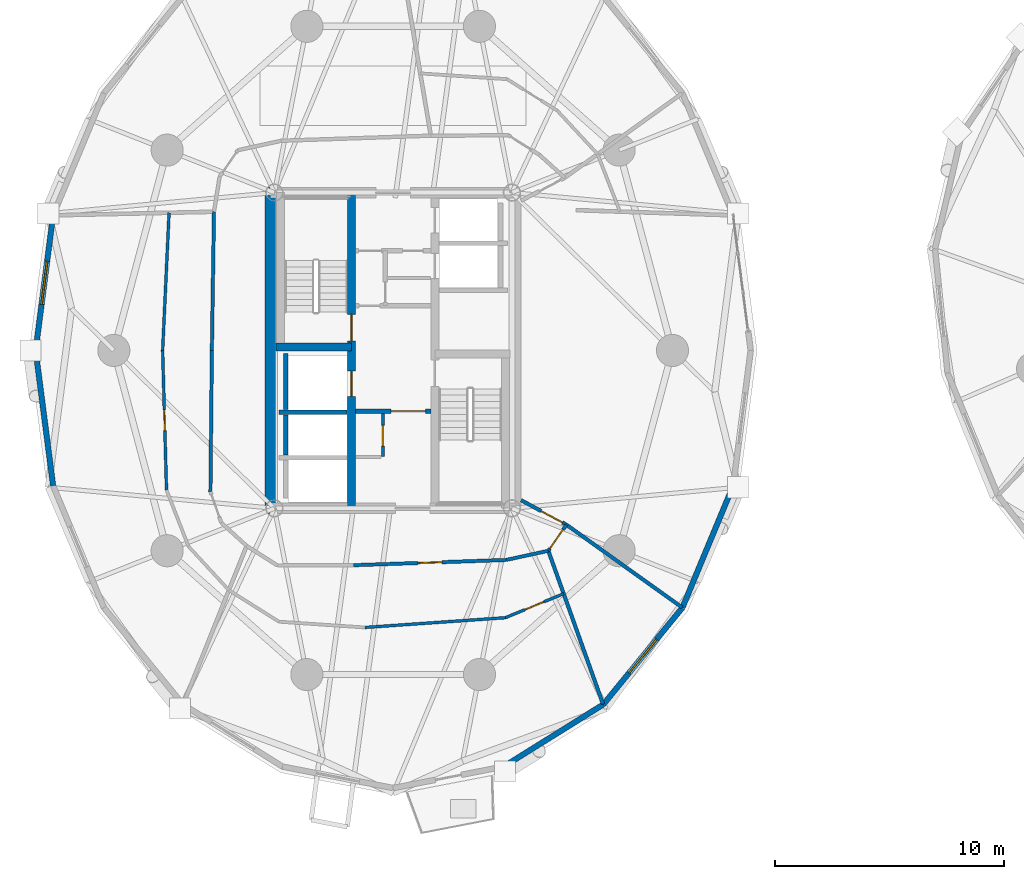
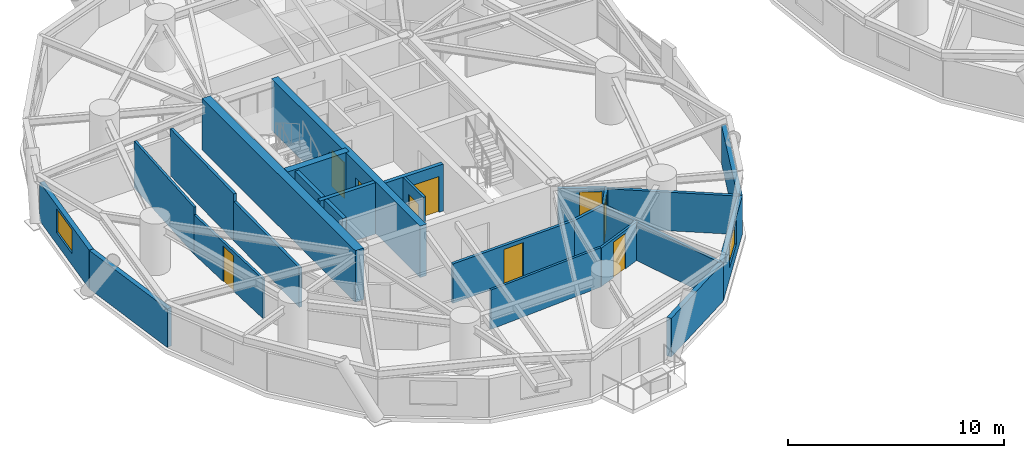
# One storey, part 10 of 18: 25 walls, 9 doors, 2 windows, 11 openings.
"""IFC4 building model written with IfcOpenShell, lengths in metres."""

from ifc_helpers import new_model, si_unit, direction, frame, frame_2d, origin, place, context, subcontext, project, spatial, rectangle, extrude, source, transform, mapped, material, layer, layer_set, type_object, element, fill, save


model = new_model("IFC4")

# Units and contexts
model_context = context("Model", 3, precision=1e-05, world=origin(), true_north=direction((0.0, 1.0)))
body_context = subcontext(model_context, "Body", "Model", "MODEL_VIEW")
ifc_project = project(units=[si_unit("LENGTHUNIT", "METRE"), si_unit("AREAUNIT", "SQUARE_METRE"), si_unit("VOLUMEUNIT", "CUBIC_METRE"), si_unit("PLANEANGLEUNIT", "RADIAN"), si_unit("MASSUNIT", "GRAM", prefix="KILO")], contexts=[model_context])

# Site, building, storey
site_placement = place(None, origin())
site = spatial("IfcSite", under=ifc_project, at=site_placement, CompositionType="ELEMENT")
building_placement = place(site_placement, origin())
building = spatial("IfcBuilding", under=site, at=building_placement, Name="Cununo Teusaquillo Station Towers", CompositionType="ELEMENT")
storey_placement = place(building_placement, frame((0.0, 0.0, 110.889892578125)))
storey = spatial("IfcBuildingStorey", under=building, at=storey_placement, Name="L35", CompositionType="ELEMENT", Elevation=110.889892578125)

# Walls
ifc_material_1 = material(Name="Concrete C50/60", Category="concrete")
ifc_layer_1 = layer(ifc_material_1, 0.199951171875)
ifc_layer_set_1 = layer_set([ifc_layer_1], Name="Concrete C50/60")
wall_type_1 = type_object("IfcWallType", Name="WL-CORE-200", PredefinedType="SHEAR", material=ifc_layer_set_1)
wall_1_placement = place(storey_placement, frame((11.52001953125, 21.800048828125, 0.0), z_axis=(0.0, 0.0, 1.0), x_axis=(1.0, 0.0, 0.0)))
element("IfcWall", 1, at=wall_1_placement, inside=storey, type_object=wall_type_1, Name="L35 Tower A Firefighting Lift Shaft South Shear Wall", PredefinedType="SHEAR", context=body_context, shape_type="SweptSolid", body=[
    extrude(rectangle(XDim=2.969970703125, YDim=0.199951171875, at=frame_2d((1.48486328125, 0.0))), origin(), (0.0, 0.0, 1.0), 2.91015625),
])
wall_2_placement = place(storey_placement, frame((11.820068359375, 21.919921875, 0.0), z_axis=(0.0, 0.0, 1.0), x_axis=(0.0, 1.0, 0.0)))
element("IfcWall", 2, at=wall_2_placement, inside=storey, type_object=wall_type_1, Name="L35 Tower A Firefighting Lift Shaft Rear Shear Wall", PredefinedType="SHEAR", context=body_context, shape_type="SweptSolid", body=[
    extrude(rectangle(XDim=2.440185546875, YDim=0.199951171875, at=frame_2d((1.22021484375, 0.0))), origin(), (0.0, 0.0, 1.0), 2.91015625),
])
wall_3_placement = place(storey_placement, frame((11.820068359375, 19.945068359375, 0.0), z_axis=(0.0, 0.0, 1.0), x_axis=(0.0, 1.0, 0.0)))
element("IfcWall", 3, at=wall_3_placement, inside=storey, type_object=wall_type_1, Name="L35 Tower A High-Rise Lift 2 Shaft Rear Shear Wall", PredefinedType="SHEAR", context=body_context, shape_type="SweptSolid", body=[
    extrude(rectangle(XDim=1.73486328125, YDim=0.199951171875, at=frame_2d((0.867431640625, 0.0))), origin(), (0.0, 0.0, 1.0), 2.91015625),
])

# Wall, openings, doors
ifc_material_2 = material(Name="Concrete C50/60", Category="concrete")
ifc_layer_2 = layer(ifc_material_2, 0.35009765625)
ifc_layer_set_2 = layer_set([ifc_layer_2], Name="Concrete C50/60")
wall_type_2 = type_object("IfcWallType", Name="WL-CORE-350", PredefinedType="SHEAR", material=ifc_layer_set_2)
wall_4_placement = place(storey_placement, frame((14.68505859375, 17.625, 0.0), z_axis=(0.0, 0.0, 1.0), x_axis=(0.0, 1.0, 0.0)))
wall_4 = element("IfcWall", 4, at=wall_4_placement, inside=storey, type_object=wall_type_2, Name="L35 Tower A Core Shear Wall IW", PredefinedType="SHEAR", context=body_context, shape_type="SweptSolid", body=[
    extrude(rectangle(XDim=13.75, YDim=0.35009765625, at=frame_2d((6.875, 0.0))), origin(), (0.0, 0.0, 1.0), 2.91015625),
])
shared_shape_1 = source(origin(), body_context, "Body", "SweptSolid", [
    extrude(rectangle(XDim=1.10009765625, YDim=2.014892578125, at=frame_2d((0.550048828125, 1.00732421875))), frame((0.0, 0.18505859375, 0.0), z_axis=(0.0, -1.0, 0.0), x_axis=(1.0, 0.0, 0.0)), (0.0, 0.0, 1.0), 0.3701171875),
])
opening_1_placement = place(wall_4_placement, frame((4.875, 0.0, 0.0)))
opening_1 = element("IfcOpeningElement", 5, at=opening_1_placement, cuts=wall_4, Name="Opening LD-01", PredefinedType="OPENING", context=body_context, shape_type="MappedRepresentation", body=[
    mapped(shared_shape_1, transform((0.0, 0.0, 0.0), x_axis=(1.0, 0.0, 0.0), y_axis=(0.0, 1.0, 0.0), z_axis=(0.0, 0.0, 1.0), scale=1.0)),
])
shared_shape_2 = source(origin(), body_context, "Body", "SweptSolid", [
    extrude(rectangle(XDim=1.14990234375, YDim=2.02001953125, at=frame_2d((0.574951171875, 1.010009765625))), frame((0.0, 0.18505859375, 0.0), z_axis=(0.0, -1.0, 0.0), x_axis=(1.0, 0.0, 0.0)), (0.0, 0.0, 1.0), 0.3701171875),
])
opening_2_placement = place(wall_4_placement, frame((7.294921875, 0.0, 0.0)))
opening_2 = element("IfcOpeningElement", 6, at=opening_2_placement, cuts=wall_4, Name="Opening D-ST1", PredefinedType="OPENING", context=body_context, shape_type="MappedRepresentation", body=[
    mapped(shared_shape_2, transform((0.0, 0.0, 0.0), x_axis=(1.0, 0.0, 0.0), y_axis=(0.0, 1.0, 0.0), z_axis=(0.0, 0.0, 1.0), scale=1.0)),
])
ifc_material_3 = material(Name="Galvanised fire-rated hollow steel door assembly", Category="steel")
door_type_1 = type_object("IfcDoorType", Name="DR-LIFT-1100", OperationType="SLIDING_TO_LEFT", PredefinedType="DOOR", material=ifc_material_3)
shared_shape_3 = source(origin(), body_context, "Body", "SweptSolid", [
    extrude(rectangle(XDim=1.10009765625, YDim=2.014892578125, at=frame_2d((0.550048828125, 1.00732421875))), frame((0.0, 0.02490234375, 0.0), z_axis=(0.0, -1.0, 0.0), x_axis=(1.0, 0.0, 0.0)), (0.0, 0.0, 1.0), 0.050048828125),
])
door_1_placement = place(opening_1_placement, origin())
door_1 = element("IfcDoor", 7, at=door_1_placement, inside=storey, type_object=door_type_1, Name="L35 Lift FL-T1 Sliding Landing Door", OperationType="SLIDING_TO_RIGHT", OverallHeight=2.014892578125, OverallWidth=1.10009765625, PredefinedType="DOOR", context=body_context, shape_type="MappedRepresentation", body=[
    mapped(shared_shape_3, transform((0.0, 0.0, 0.0), x_axis=(1.0, 0.0, 0.0), y_axis=(0.0, 1.0, 0.0), z_axis=(0.0, 0.0, 1.0), scale=1.0)),
])
fill(opening_1, door_1)
ifc_material_4 = material(Name="Galvanised fire-rated hollow steel door assembly", Category="steel")
door_type_2 = type_object("IfcDoorType", Name="DR-STAIR-1150", OperationType="NOTDEFINED", PredefinedType="DOOR", material=ifc_material_4)
shared_shape_4 = source(origin(), body_context, "Body", "SweptSolid", [
    extrude(rectangle(XDim=1.14990234375, YDim=2.02001953125, at=frame_2d((0.574951171875, 1.010009765625))), frame((0.0, 0.02490234375, 0.0), z_axis=(0.0, -1.0, 0.0), x_axis=(1.0, 0.0, 0.0)), (0.0, 0.0, 1.0), 0.050048828125),
])
door_2_placement = place(opening_2_placement, origin())
door_2 = element("IfcDoor", 8, at=door_2_placement, inside=storey, type_object=door_type_2, Name="L35 Tower A Exit Stair 1 Fire Door", OperationType="SINGLE_SWING_RIGHT", OverallHeight=2.02001953125, OverallWidth=1.14990234375, PredefinedType="DOOR", context=body_context, shape_type="MappedRepresentation", body=[
    mapped(shared_shape_4, transform((0.0, 0.0, 0.0), x_axis=(1.0, 0.0, 0.0), y_axis=(0.0, 1.0, 0.0), z_axis=(0.0, 0.0, 1.0), scale=1.0)),
])
fill(opening_2, door_2)

# Walls
wall_5_placement = place(storey_placement, frame((11.39990234375, 24.655029296875, 0.0), z_axis=(0.0, 0.0, 1.0), x_axis=(1.0, 0.0, 0.0)))
element("IfcWall", 9, at=wall_5_placement, inside=storey, type_object=wall_type_2, Name="L35 Tower A Core Shear Wall ST1S", PredefinedType="SHEAR", context=body_context, shape_type="SweptSolid", body=[
    extrude(rectangle(XDim=3.28515625, YDim=0.35009765625, at=frame_2d((1.642578125, 0.0))), origin(), (0.0, 0.0, 1.0), 2.91015625),
])
ifc_material_5 = material(Name="Concrete C60/75", Category="concrete")
ifc_layer_3 = layer(ifc_material_5, 0.449951171875)
ifc_layer_set_3 = layer_set([ifc_layer_3], Name="Concrete C60/75")
wall_type_3 = type_object("IfcWallType", Name="WL-CORE-450", PredefinedType="SHEAR", material=ifc_layer_set_3)
wall_6_placement = place(storey_placement, frame((11.14990234375, 17.39990234375, 0.0), z_axis=(0.0, 0.0, 1.0), x_axis=(0.0, 1.0, 0.0)))
element("IfcWall", 10, at=wall_6_placement, inside=storey, type_object=wall_type_3, Name="L35 Tower A Core Shear Wall W", PredefinedType="SHEAR", context=body_context, shape_type="SweptSolid", body=[
    extrude(rectangle(XDim=14.2001953125, YDim=0.449951171875, at=frame_2d((7.10009765625, 0.0))), origin(), (0.0, 0.0, 1.0), 2.91015625),
])

# Wall, opening, window
ifc_material_6 = material(Name="Precast concrete C40/50", Category="concrete")
ifc_layer_4 = layer(ifc_material_6, 0.239990234375)
ifc_layer_set_4 = layer_set([ifc_layer_4], Name="Precast concrete C40/50")
wall_type_4 = type_object("IfcWallType", Name="WL-EXT-240", PredefinedType="SOLIDWALL", material=ifc_layer_set_4)
wall_7_placement = place(storey_placement, frame((0.9189453125, 24.5, 0.0), z_axis=(0.0, 0.0, 1.0), x_axis=(0.128351991996, 0.991728675672, 0.0)))
wall_7 = element("IfcWall", 11, at=wall_7_placement, inside=storey, type_object=wall_type_4, Name="L35 Tower A Exterior Facade Wall C09", PredefinedType="SOLIDWALL", context=body_context, shape_type="SweptSolid", body=[
    extrude(rectangle(XDim=5.942138671875, YDim=0.239990234375, at=frame_2d((2.97119140625, 0.0))), origin(), (0.0, 0.0, 1.0), 2.17919921875),
])
shared_shape_5 = source(origin(), body_context, "Body", "SweptSolid", [
    extrude(rectangle(XDim=1.89990234375, YDim=1.35009765625, at=frame_2d((0.949951171875, 0.675048828125))), frame((0.0, 0.1298828125, 0.0), z_axis=(0.0, -1.0, 0.0), x_axis=(1.0, 0.0, 0.0)), (0.0, 0.0, 1.0), 0.260009765625),
])
opening_3_placement = place(wall_7_placement, frame((2.02099609375, 0.0, 0.64990234375)))
opening_3 = element("IfcOpeningElement", 12, at=opening_3_placement, cuts=wall_7, Name="Opening WN-02", PredefinedType="OPENING", context=body_context, shape_type="MappedRepresentation", body=[
    mapped(shared_shape_5, transform((0.0, 0.0, 0.0), x_axis=(1.0, 0.0, 0.0), y_axis=(0.0, 1.0, 0.0), z_axis=(0.0, 0.0, 1.0), scale=1.0)),
])
ifc_material_7 = material(Name="Operable acoustic tinted low-E double glazing", Category="glass")
window_type = type_object("IfcWindowType", Name="WIN-OPER-1900", PartitioningType="DOUBLE_PANEL_VERTICAL", PredefinedType="WINDOW", material=ifc_material_7)
shared_shape_6 = source(origin(), body_context, "Body", "SweptSolid", [
    extrude(rectangle(XDim=1.89990234375, YDim=1.35009765625, at=frame_2d((0.949951171875, 0.675048828125))), frame((0.0, 0.030029296875, 0.0), z_axis=(0.0, -1.0, 0.0), x_axis=(1.0, 0.0, 0.0)), (0.0, 0.0, 1.0), 0.06005859375),
])
window_1_placement = place(opening_3_placement, origin())
window_1 = element("IfcWindow", 13, at=window_1_placement, inside=storey, type_object=window_type, Name="L35 Tower A Facade Window C09", OverallHeight=1.35009765625, OverallWidth=1.89990234375, PartitioningType="DOUBLE_PANEL_VERTICAL", PredefinedType="WINDOW", context=body_context, shape_type="MappedRepresentation", body=[
    mapped(shared_shape_6, transform((0.0, 0.0, 0.0), x_axis=(1.0, 0.0, 0.0), y_axis=(0.0, 1.0, 0.0), z_axis=(0.0, 0.0, 1.0), scale=1.0)),
])
fill(opening_3, window_1)

# Walls
wall_8_placement = place(storey_placement, frame((1.681640625, 18.60693359375, 0.0), z_axis=(0.0, 0.0, 1.0), x_axis=(-0.128351991996, 0.991728675672, 0.0)))
element("IfcWall", 14, at=wall_8_placement, inside=storey, type_object=wall_type_4, Name="L35 Tower A Exterior Facade Wall C10", PredefinedType="SOLIDWALL", context=body_context, shape_type="SweptSolid", body=[
    extrude(rectangle(XDim=5.942138671875, YDim=0.239990234375, at=frame_2d((2.97119140625, 0.0))), origin(), (0.0, 0.0, 1.0), 2.17919921875),
])
wall_9_placement = place(storey_placement, frame((25.658203125, 9.072021484375, 0.0), z_axis=(0.0, 0.0, 1.0), x_axis=(-0.848520380187, -0.529162701263, 0.0)))
element("IfcWall", 15, at=wall_9_placement, inside=storey, type_object=wall_type_4, Name="L35 Tower A Exterior Facade Wall C16", PredefinedType="SOLIDWALL", context=body_context, shape_type="SweptSolid", body=[
    extrude(rectangle(XDim=5.118896484375, YDim=0.239990234375, at=frame_2d((2.5595703125, 0.0))), origin(), (0.0, 0.0, 1.0), 2.17919921875),
])

# Wall, opening, window
wall_10_placement = place(storey_placement, frame((29.105224609375, 13.291015625, 0.0), z_axis=(0.0, 0.0, 1.0), x_axis=(-0.632700781152, -0.77439635945, 0.0)))
wall_10 = element("IfcWall", 16, at=wall_10_placement, inside=storey, type_object=wall_type_4, Name="L35 Tower A Exterior Facade Wall C17", PredefinedType="SOLIDWALL", context=body_context, shape_type="SweptSolid", body=[
    extrude(rectangle(XDim=5.447998046875, YDim=0.239990234375, at=frame_2d((2.72412109375, 0.0))), origin(), (0.0, 0.0, 1.0), 2.17919921875),
])
opening_4_placement = place(wall_10_placement, frame((1.77392578125, 0.0, 0.64990234375)))
opening_4 = element("IfcOpeningElement", 17, at=opening_4_placement, cuts=wall_10, Name="Opening WN-02", PredefinedType="OPENING", context=body_context, shape_type="MappedRepresentation", body=[
    mapped(shared_shape_5, transform((0.0, 0.0, 0.0), x_axis=(1.0, 0.0, 0.0), y_axis=(0.0, 1.0, 0.0), z_axis=(0.0, 0.0, 1.0), scale=1.0)),
])
window_2_placement = place(opening_4_placement, origin())
window_2 = element("IfcWindow", 18, at=window_2_placement, inside=storey, type_object=window_type, Name="L35 Tower A Facade Window C17", OverallHeight=1.35009765625, OverallWidth=1.89990234375, PartitioningType="DOUBLE_PANEL_VERTICAL", PredefinedType="WINDOW", context=body_context, shape_type="MappedRepresentation", body=[
    mapped(shared_shape_6, transform((0.0, 0.0, 0.0), x_axis=(1.0, 0.0, 0.0), y_axis=(0.0, 1.0, 0.0), z_axis=(0.0, 0.0, 1.0), scale=1.0)),
])
fill(opening_4, window_2)

# Wall
wall_11_placement = place(storey_placement, frame((31.318359375, 18.60693359375, 0.0), z_axis=(0.0, 0.0, 1.0), x_axis=(-0.384344417632, -0.923189779317, 0.0)))
element("IfcWall", 19, at=wall_11_placement, inside=storey, type_object=wall_type_4, Name="L35 Tower A Exterior Facade Wall C18", PredefinedType="SOLIDWALL", context=body_context, shape_type="SweptSolid", body=[
    extrude(rectangle(XDim=5.75830078125, YDim=0.239990234375, at=frame_2d((2.879150390625, 0.0))), origin(), (0.0, 0.0, 1.0), 2.17919921875),
])

# Wall, opening, door
ifc_material_8 = material(Name="Fire-rated gypsum plasterboard partition assembly", Category="gypsum")
ifc_layer_5 = layer(ifc_material_8, 0.125)
ifc_layer_set_5 = layer_set([ifc_layer_5], Name="Fire-rated gypsum plasterboard partition assembly")
wall_type_5 = type_object("IfcWallType", Name="WL-PART-125", PredefinedType="PARTITIONING", material=ifc_layer_set_5)
wall_12_placement = place(storey_placement, frame((16.050048828125, 19.8798828125, 0.0), z_axis=(0.0, 0.0, 1.0), x_axis=(0.0, 1.0, 0.0)))
wall_12 = element("IfcWall", 20, at=wall_12_placement, inside=storey, type_object=wall_type_5, Name="L35 Tower A North-West Lobby Store East Wall", PredefinedType="PARTITIONING", context=body_context, shape_type="SweptSolid", body=[
    extrude(rectangle(XDim=1.8701171875, YDim=0.125, at=frame_2d((0.93505859375, 0.0))), origin(), (0.0, 0.0, 1.0), 2.655029296875),
])
shared_shape_7 = source(origin(), body_context, "Body", "SweptSolid", [
    extrude(rectangle(XDim=0.89990234375, YDim=2.0048828125, at=frame_2d((0.449951171875, 1.00244140625))), frame((0.0, 0.072509765625, 0.0), z_axis=(0.0, -1.0, 0.0), x_axis=(1.0, 0.0, 0.0)), (0.0, 0.0, 1.0), 0.14501953125),
])
opening_5_placement = place(wall_12_placement, frame((0.449951171875, 0.0, 0.0)))
opening_5 = element("IfcOpeningElement", 21, at=opening_5_placement, cuts=wall_12, Name="Opening D-SR1", PredefinedType="OPENING", context=body_context, shape_type="MappedRepresentation", body=[
    mapped(shared_shape_7, transform((0.0, 0.0, 0.0), x_axis=(1.0, 0.0, 0.0), y_axis=(0.0, 1.0, 0.0), z_axis=(0.0, 0.0, 1.0), scale=1.0)),
])
ifc_material_9 = material(Name="Galvanised fire-rated hollow steel door assembly", Category="steel")
door_type_3 = type_object("IfcDoorType", Name="DR-STORE-900", OperationType="NOTDEFINED", PredefinedType="DOOR", material=ifc_material_9)
shared_shape_8 = source(origin(), body_context, "Body", "SweptSolid", [
    extrude(rectangle(XDim=0.89990234375, YDim=2.0048828125, at=frame_2d((0.449951171875, 1.00244140625))), frame((0.0, 0.02490234375, 0.0), z_axis=(0.0, -1.0, 0.0), x_axis=(1.0, 0.0, 0.0)), (0.0, 0.0, 1.0), 0.050048828125),
])
door_3_placement = place(opening_5_placement, origin())
door_3 = element("IfcDoor", 22, at=door_3_placement, inside=storey, type_object=door_type_3, Name="L35 Tower A South Lobby Data Store Door", OperationType="SINGLE_SWING_RIGHT", OverallHeight=2.0048828125, OverallWidth=0.89990234375, PredefinedType="DOOR", context=body_context, shape_type="MappedRepresentation", body=[
    mapped(shared_shape_8, transform((0.0, 0.0, 0.0), x_axis=(1.0, 0.0, 0.0), y_axis=(0.0, 1.0, 0.0), z_axis=(0.0, 0.0, 1.0), scale=1.0)),
])
fill(opening_5, door_3)

# Wall
wall_13_placement = place(storey_placement, frame((6.73486328125, 30.5, 0.0), z_axis=(0.0, 0.0, 1.0), x_axis=(-0.046620801603, -0.998912659274, 0.0)))
element("IfcWall", 23, at=wall_13_placement, inside=storey, type_object=wall_type_5, Name="L35 Tower A Ambassadorial Executive Office Concentric Partition Wall C09", PredefinedType="PARTITIONING", context=body_context, shape_type="SweptSolid", body=[
    extrude(rectangle(XDim=6.006591796875, YDim=0.125, at=frame_2d((3.00341796875, 0.0))), origin(), (0.0, 0.0, 1.0), 2.655029296875),
])

# Wall, opening, door
wall_14_placement = place(storey_placement, frame((6.454833984375, 24.5, 0.0), z_axis=(0.0, 0.0, 1.0), x_axis=(0.027753708707, -0.999614791634, 0.0)))
wall_14 = element("IfcWall", 24, at=wall_14_placement, inside=storey, type_object=wall_type_5, Name="L35 Tower A Ambassadorial Executive Office Concentric Partition Wall C10", PredefinedType="PARTITIONING", context=body_context, shape_type="SweptSolid", body=[
    extrude(rectangle(XDim=6.08740234375, YDim=0.125, at=frame_2d((3.043701171875, 0.0))), origin(), (0.0, 0.0, 1.0), 2.22509765625),
])
opening_6_placement = place(wall_14_placement, frame((2.593505859375, 0.0, 0.0)))
opening_6 = element("IfcOpeningElement", 25, at=opening_6_placement, cuts=wall_14, Name="Opening D-IN1", PredefinedType="OPENING", context=body_context, shape_type="MappedRepresentation", body=[
    mapped(shared_shape_7, transform((0.0, 0.0, 0.0), x_axis=(1.0, 0.0, 0.0), y_axis=(0.0, 1.0, 0.0), z_axis=(0.0, 0.0, 1.0), scale=1.0)),
])
ifc_material_10 = material(Name="Acoustic solid-core hardwood leaf assembly", Category="wood")
door_type_4 = type_object("IfcDoorType", Name="DR-INT-900", OperationType="NOTDEFINED", PredefinedType="DOOR", material=ifc_material_10)
door_4_placement = place(opening_6_placement, origin())
door_4 = element("IfcDoor", 26, at=door_4_placement, inside=storey, type_object=door_type_4, Name="L35 Tower A Ambassadorial Executive Office Connecting Door", OperationType="SINGLE_SWING_LEFT", OverallHeight=2.0048828125, OverallWidth=0.89990234375, PredefinedType="DOOR", context=body_context, shape_type="MappedRepresentation", body=[
    mapped(shared_shape_8, transform((0.0, 0.0, 0.0), x_axis=(1.0, 0.0, 0.0), y_axis=(0.0, 1.0, 0.0), z_axis=(0.0, 0.0, 1.0), scale=1.0)),
])
fill(opening_6, door_4)

# Wall
wall_15_placement = place(storey_placement, frame((15.26220703125, 12.42724609375, 0.0), z_axis=(0.0, 0.0, 1.0), x_axis=(0.997595855995, 0.069300130605, 0.0)))
element("IfcWall", 27, at=wall_15_placement, inside=storey, type_object=wall_type_5, Name="L35 Tower A Cultural Attache Workplace Concentric Partition Wall C15", PredefinedType="PARTITIONING", context=body_context, shape_type="SweptSolid", body=[
    extrude(rectangle(XDim=6.140380859375, YDim=0.125, at=frame_2d((3.0703125, 0.0))), origin(), (0.0, 0.0, 1.0), 2.22509765625),
])

# Wall, opening, door
wall_16_placement = place(storey_placement, frame((21.387939453125, 12.852783203125, 0.0), z_axis=(0.0, 0.0, 1.0), x_axis=(0.924757149715, 0.380557767036, 0.0)))
wall_16 = element("IfcWall", 28, at=wall_16_placement, inside=storey, type_object=wall_type_5, Name="L35 Tower A Cultural Attache Workplace Concentric Partition Wall C16", PredefinedType="PARTITIONING", context=body_context, shape_type="SweptSolid", body=[
    extrude(rectangle(XDim=2.74951171875, YDim=0.125, at=frame_2d((1.374755859375, 0.0))), origin(), (0.0, 0.0, 1.0), 2.17919921875),
])
opening_7_placement = place(wall_16_placement, frame((0.9248046875, 0.0, 0.0)))
opening_7 = element("IfcOpeningElement", 29, at=opening_7_placement, cuts=wall_16, Name="Opening D-IN1", PredefinedType="OPENING", context=body_context, shape_type="MappedRepresentation", body=[
    mapped(shared_shape_7, transform((0.0, 0.0, 0.0), x_axis=(1.0, 0.0, 0.0), y_axis=(0.0, 1.0, 0.0), z_axis=(0.0, 0.0, 1.0), scale=1.0)),
])
door_5_placement = place(opening_7_placement, origin())
door_5 = element("IfcDoor", 30, at=door_5_placement, inside=storey, type_object=door_type_4, Name="L35 Tower A Cultural Attache Workplace Connecting Door", OperationType="SINGLE_SWING_LEFT", OverallHeight=2.0048828125, OverallWidth=0.89990234375, PredefinedType="DOOR", context=body_context, shape_type="MappedRepresentation", body=[
    mapped(shared_shape_8, transform((0.0, 0.0, 0.0), x_axis=(1.0, 0.0, 0.0), y_axis=(0.0, 1.0, 0.0), z_axis=(0.0, 0.0, 1.0), scale=1.0)),
])
fill(opening_7, door_5)

# Walls
ifc_material_11 = material(Name="Fire-rated gypsum plasterboard partition assembly", Category="gypsum")
ifc_layer_6 = layer(ifc_material_11, 0.14990234375)
ifc_layer_set_6 = layer_set([ifc_layer_6], Name="Fire-rated gypsum plasterboard partition assembly")
wall_type_6 = type_object("IfcWallType", Name="WL-PART-150", PredefinedType="PARTITIONING", material=ifc_layer_set_6)
wall_17_placement = place(storey_placement, frame((8.692626953125, 30.544189453125, 0.0), z_axis=(0.0, 0.0, 1.0), x_axis=(-0.015307007986, -0.99988284089, 0.0)))
element("IfcWall", 31, at=wall_17_placement, inside=storey, type_object=wall_type_6, Name="L35 Tower A Corridor Ring Wall C09", PredefinedType="PARTITIONING", context=body_context, shape_type="SweptSolid", body=[
    extrude(rectangle(XDim=6.044921875, YDim=0.14990234375, at=frame_2d((3.0224609375, 0.0))), origin(), (0.0, 0.0, 1.0), 2.655029296875),
])
wall_18_placement = place(storey_placement, frame((8.60009765625, 24.5, 0.0), z_axis=(0.0, 0.0, 1.0), x_axis=(-0.010023665349, -0.999949761805, 0.0)))
element("IfcWall", 32, at=wall_18_placement, inside=storey, type_object=wall_type_6, Name="L35 Tower A Corridor Ring Wall C10", PredefinedType="PARTITIONING", context=body_context, shape_type="SweptSolid", body=[
    extrude(rectangle(XDim=6.162109375, YDim=0.14990234375, at=frame_2d((3.0810546875, 0.0))), origin(), (0.0, 0.0, 1.0), 2.22509765625),
])

# Wall, opening, door
wall_19_placement = place(storey_placement, frame((14.781005859375, 15.140625, 0.0), z_axis=(0.0, 0.0, 1.0), x_axis=(0.999407918707, 0.034406569513, 0.0)))
wall_19 = element("IfcWall", 33, at=wall_19_placement, inside=storey, type_object=wall_type_6, Name="L35 Tower A Corridor Ring Wall C15", PredefinedType="PARTITIONING", context=body_context, shape_type="SweptSolid", body=[
    extrude(rectangle(XDim=6.6416015625, YDim=0.14990234375, at=frame_2d((3.32080078125, 0.0))), origin(), (0.0, 0.0, 1.0), 2.22509765625),
])
shared_shape_9 = source(origin(), body_context, "Body", "SweptSolid", [
    extrude(rectangle(XDim=1.050048828125, YDim=2.014892578125, at=frame_2d((0.52490234375, 1.00732421875))), frame((0.0, 0.0849609375, 0.0), z_axis=(0.0, -1.0, 0.0), x_axis=(1.0, 0.0, 0.0)), (0.0, 0.0, 1.0), 0.169921875),
])
opening_8_placement = place(wall_19_placement, frame((2.7958984375, 0.0, 0.0)))
opening_8 = element("IfcOpeningElement", 34, at=opening_8_placement, cuts=wall_19, Name="Opening D-SU1", PredefinedType="OPENING", context=body_context, shape_type="MappedRepresentation", body=[
    mapped(shared_shape_9, transform((0.0, 0.0, 0.0), x_axis=(1.0, 0.0, 0.0), y_axis=(0.0, 1.0, 0.0), z_axis=(0.0, 0.0, 1.0), scale=1.0)),
])
ifc_material_12 = material(Name="Acoustic solid-core hardwood leaf assembly", Category="wood")
door_type_5 = type_object("IfcDoorType", Name="DR-SUITE-1050", OperationType="NOTDEFINED", PredefinedType="DOOR", material=ifc_material_12)
shared_shape_10 = source(origin(), body_context, "Body", "SweptSolid", [
    extrude(rectangle(XDim=1.050048828125, YDim=2.014892578125, at=frame_2d((0.52490234375, 1.00732421875))), frame((0.0, 0.02490234375, 0.0), z_axis=(0.0, -1.0, 0.0), x_axis=(1.0, 0.0, 0.0)), (0.0, 0.0, 1.0), 0.050048828125),
])
door_6_placement = place(opening_8_placement, origin())
door_6 = element("IfcDoor", 35, at=door_6_placement, inside=storey, type_object=door_type_5, Name="L35 Tower A Cultural Attache Workplace Entrance Door", OperationType="SINGLE_SWING_RIGHT", OverallHeight=2.014892578125, OverallWidth=1.050048828125, PredefinedType="DOOR", context=body_context, shape_type="MappedRepresentation", body=[
    mapped(shared_shape_10, transform((0.0, 0.0, 0.0), x_axis=(1.0, 0.0, 0.0), y_axis=(0.0, 1.0, 0.0), z_axis=(0.0, 0.0, 1.0), scale=1.0)),
])
fill(opening_8, door_6)

# Wall
wall_20_placement = place(storey_placement, frame((21.418701171875, 15.369140625, 0.0), z_axis=(0.0, 0.0, 1.0), x_axis=(0.977192701953, 0.212354475464, 0.0)))
element("IfcWall", 36, at=wall_20_placement, inside=storey, type_object=wall_type_6, Name="L35 Tower A Corridor Ring Wall C16", PredefinedType="PARTITIONING", context=body_context, shape_type="SweptSolid", body=[
    extrude(rectangle(XDim=1.8876953125, YDim=0.14990234375, at=frame_2d((0.94384765625, 0.0))), origin(), (0.0, 0.0, 1.0), 2.22509765625),
])

# Wall, opening, door
wall_21_placement = place(storey_placement, frame((23.263427734375, 15.77001953125, 0.0), z_axis=(0.0, 0.0, 1.0), x_axis=(0.570743456919, 0.821128434768, 0.0)))
wall_21 = element("IfcWall", 37, at=wall_21_placement, inside=storey, type_object=wall_type_6, Name="L35 Tower A Corridor Ring Wall C17", PredefinedType="PARTITIONING", context=body_context, shape_type="SweptSolid", body=[
    extrude(rectangle(XDim=1.381591796875, YDim=0.14990234375, at=frame_2d((0.69091796875, 0.0))), origin(), (0.0, 0.0, 1.0), 2.22509765625),
])
shared_shape_11 = source(origin(), body_context, "Body", "SweptSolid", [
    extrude(rectangle(XDim=1.0, YDim=2.014892578125, at=frame_2d((0.5, 1.00732421875))), frame((0.0, 0.0849609375, 0.0), z_axis=(0.0, -1.0, 0.0), x_axis=(1.0, 0.0, 0.0)), (0.0, 0.0, 1.0), 0.169921875),
])
opening_9_placement = place(wall_21_placement, frame((0.1201171875, 0.0, 0.0)))
opening_9 = element("IfcOpeningElement", 38, at=opening_9_placement, cuts=wall_21, Name="Opening D-AC1", PredefinedType="OPENING", context=body_context, shape_type="MappedRepresentation", body=[
    mapped(shared_shape_11, transform((0.0, 0.0, 0.0), x_axis=(1.0, 0.0, 0.0), y_axis=(0.0, 1.0, 0.0), z_axis=(0.0, 0.0, 1.0), scale=1.0)),
])
ifc_material_13 = material(Name="Acoustic solid-core hardwood leaf assembly", Category="wood")
door_type_6 = type_object("IfcDoorType", Name="DR-ACC-1000", OperationType="NOTDEFINED", PredefinedType="DOOR", material=ifc_material_13)
shared_shape_12 = source(origin(), body_context, "Body", "SweptSolid", [
    extrude(rectangle(XDim=1.0, YDim=2.014892578125, at=frame_2d((0.5, 1.00732421875))), frame((0.0, 0.02490234375, 0.0), z_axis=(0.0, -1.0, 0.0), x_axis=(1.0, 0.0, 0.0)), (0.0, 0.0, 1.0), 0.050048828125),
])
door_7_placement = place(opening_9_placement, origin())
door_7 = element("IfcDoor", 39, at=door_7_placement, inside=storey, type_object=door_type_6, Name="L35 Tower A Public Accessible Restroom WC Entrance Door", OperationType="SINGLE_SWING_RIGHT", OverallHeight=2.014892578125, OverallWidth=1.0, PredefinedType="DOOR", context=body_context, shape_type="MappedRepresentation", body=[
    mapped(shared_shape_12, transform((0.0, 0.0, 0.0), x_axis=(1.0, 0.0, 0.0), y_axis=(0.0, 1.0, 0.0), z_axis=(0.0, 0.0, 1.0), scale=1.0)),
])
fill(opening_9, door_7)

# Walls
ifc_material_14 = material(Name="Fire-rated gypsum plasterboard partition assembly", Category="gypsum")
ifc_layer_7 = layer(ifc_material_14, 0.159912109375)
ifc_layer_set_7 = layer_set([ifc_layer_7], Name="Fire-rated gypsum plasterboard partition assembly")
wall_type_7 = type_object("IfcWallType", Name="WL-PART-160", PredefinedType="PARTITIONING", material=ifc_layer_set_7)
wall_22_placement = place(storey_placement, frame((23.263427734375, 15.77001953125, 0.0), z_axis=(0.0, 0.0, 1.0), x_axis=(0.335919964206, -0.941890533793, 0.0)))
element("IfcWall", 40, at=wall_22_placement, inside=storey, type_object=wall_type_7, Name="L35 Tower A Radial Suite Partition R06", PredefinedType="PARTITIONING", context=body_context, shape_type="SweptSolid", body=[
    extrude(rectangle(XDim=7.09423828125, YDim=0.159912109375, at=frame_2d((3.547119140625, 0.0))), origin(), (0.0, 0.0, 1.0), 2.17919921875),
])
wall_23_placement = place(storey_placement, frame((24.052001953125, 16.904541015625, 0.0), z_axis=(0.0, 0.0, 1.0), x_axis=(0.813437670746, -0.581652091727, 0.0)))
element("IfcWall", 41, at=wall_23_placement, inside=storey, type_object=wall_type_7, Name="L35 Tower A Radial Suite Partition R07", PredefinedType="PARTITIONING", context=body_context, shape_type="SweptSolid", body=[
    extrude(rectangle(XDim=6.1923828125, YDim=0.159912109375, at=frame_2d((3.09619140625, 0.0))), origin(), (0.0, 0.0, 1.0), 2.17919921875),
])

# Wall, opening, door
wall_24_placement = place(storey_placement, frame((22.074951171875, 17.97509765625, 0.0), z_axis=(0.0, 0.0, 1.0), x_axis=(0.879356383302, -0.476164206073, 0.0)))
wall_24 = element("IfcWall", 42, at=wall_24_placement, inside=storey, type_object=wall_type_7, Name="L35 Tower A East Salon Corridor Portal Wall SE", PredefinedType="PARTITIONING", context=body_context, shape_type="SweptSolid", body=[
    extrude(rectangle(XDim=2.248291015625, YDim=0.159912109375, at=frame_2d((1.1240234375, 0.0))), origin(), (0.0, 0.0, 1.0), 2.22509765625),
])
shared_shape_13 = source(origin(), body_context, "Body", "SweptSolid", [
    extrude(rectangle(XDim=1.050048828125, YDim=2.014892578125, at=frame_2d((0.52490234375, 1.00732421875))), frame((0.0, 0.08984375, 0.0), z_axis=(0.0, -1.0, 0.0), x_axis=(1.0, 0.0, 0.0)), (0.0, 0.0, 1.0), 0.179931640625),
])
opening_10_placement = place(wall_24_placement, frame((0.998291015625, 0.0, 0.0)))
opening_10 = element("IfcOpeningElement", 43, at=opening_10_placement, cuts=wall_24, Name="Opening D-SU1", PredefinedType="OPENING", context=body_context, shape_type="MappedRepresentation", body=[
    mapped(shared_shape_13, transform((0.0, 0.0, 0.0), x_axis=(1.0, 0.0, 0.0), y_axis=(0.0, 1.0, 0.0), z_axis=(0.0, 0.0, 1.0), scale=1.0)),
])
door_8_placement = place(opening_10_placement, origin())
door_8 = element("IfcDoor", 44, at=door_8_placement, inside=storey, type_object=door_type_5, Name="L35 Tower A East Panorama Sky Salon Door SE", OperationType="SINGLE_SWING_RIGHT", OverallHeight=2.014892578125, OverallWidth=1.050048828125, PredefinedType="DOOR", context=body_context, shape_type="MappedRepresentation", body=[
    mapped(shared_shape_10, transform((0.0, 0.0, 0.0), x_axis=(1.0, 0.0, 0.0), y_axis=(0.0, 1.0, 0.0), z_axis=(0.0, 0.0, 1.0), scale=1.0)),
])
fill(opening_10, door_8)

ifc_material_15 = material(Name="Fire-rated gypsum plasterboard partition assembly", Category="gypsum")
ifc_layer_8 = layer(ifc_material_15, 0.199951171875)
ifc_layer_set_8 = layer_set([ifc_layer_8], Name="Fire-rated gypsum plasterboard partition assembly")
wall_type_8 = type_object("IfcWallType", Name="WL-PART-200", PredefinedType="PARTITIONING", material=ifc_layer_set_8)
wall_25_placement = place(storey_placement, frame((14.860107421875, 21.85009765625, 0.0), z_axis=(0.0, 0.0, 1.0), x_axis=(1.0, 0.0, 0.0)))
wall_25 = element("IfcWall", 45, at=wall_25_placement, inside=storey, type_object=wall_type_8, Name="L35 Tower A Firefighting Lift Lobby South Fire Wall", PredefinedType="PARTITIONING", context=body_context, shape_type="SweptSolid", body=[
    extrude(rectangle(XDim=3.27978515625, YDim=0.199951171875, at=frame_2d((1.639892578125, 0.0))), origin(), (0.0, 0.0, 1.0), 2.655029296875),
])
shared_shape_14 = source(origin(), body_context, "Body", "SweptSolid", [
    extrude(rectangle(XDim=1.5, YDim=2.02001953125, at=frame_2d((0.75, 1.010009765625))), frame((0.0, 0.10986328125, 0.0), z_axis=(0.0, -1.0, 0.0), x_axis=(1.0, 0.0, 0.0)), (0.0, 0.0, 1.0), 0.219970703125),
])
opening_11_placement = place(wall_25_placement, frame((1.550048828125, 0.0, 0.0)))
opening_11 = element("IfcOpeningElement", 46, at=opening_11_placement, cuts=wall_25, Name="Opening D-LB1", PredefinedType="OPENING", context=body_context, shape_type="MappedRepresentation", body=[
    mapped(shared_shape_14, transform((0.0, 0.0, 0.0), x_axis=(1.0, 0.0, 0.0), y_axis=(0.0, 1.0, 0.0), z_axis=(0.0, 0.0, 1.0), scale=1.0)),
])
ifc_material_16 = material(Name="Galvanised fire-rated hollow steel door assembly", Category="steel")
door_type_7 = type_object("IfcDoorType", Name="DR-LOBBY-1500", OperationType="DOUBLE_DOOR_SINGLE_SWING", PredefinedType="DOOR", material=ifc_material_16)
shared_shape_15 = source(origin(), body_context, "Body", "SweptSolid", [
    extrude(rectangle(XDim=1.5, YDim=2.02001953125, at=frame_2d((0.75, 1.010009765625))), frame((0.0, 0.02490234375, 0.0), z_axis=(0.0, -1.0, 0.0), x_axis=(1.0, 0.0, 0.0)), (0.0, 0.0, 1.0), 0.050048828125),
])
door_9_placement = place(opening_11_placement, origin())
door_9 = element("IfcDoor", 47, at=door_9_placement, inside=storey, type_object=door_type_7, Name="L35 Tower A Firefighting Lift Lobby South Fire Door", OperationType="DOUBLE_DOOR_SINGLE_SWING", OverallHeight=2.02001953125, OverallWidth=1.5, PredefinedType="DOOR", context=body_context, shape_type="MappedRepresentation", body=[
    mapped(shared_shape_15, transform((0.0, 0.0, 0.0), x_axis=(1.0, 0.0, 0.0), y_axis=(0.0, 1.0, 0.0), z_axis=(0.0, 0.0, 1.0), scale=1.0)),
])
fill(opening_11, door_9)

save(model, "model.ifc")
